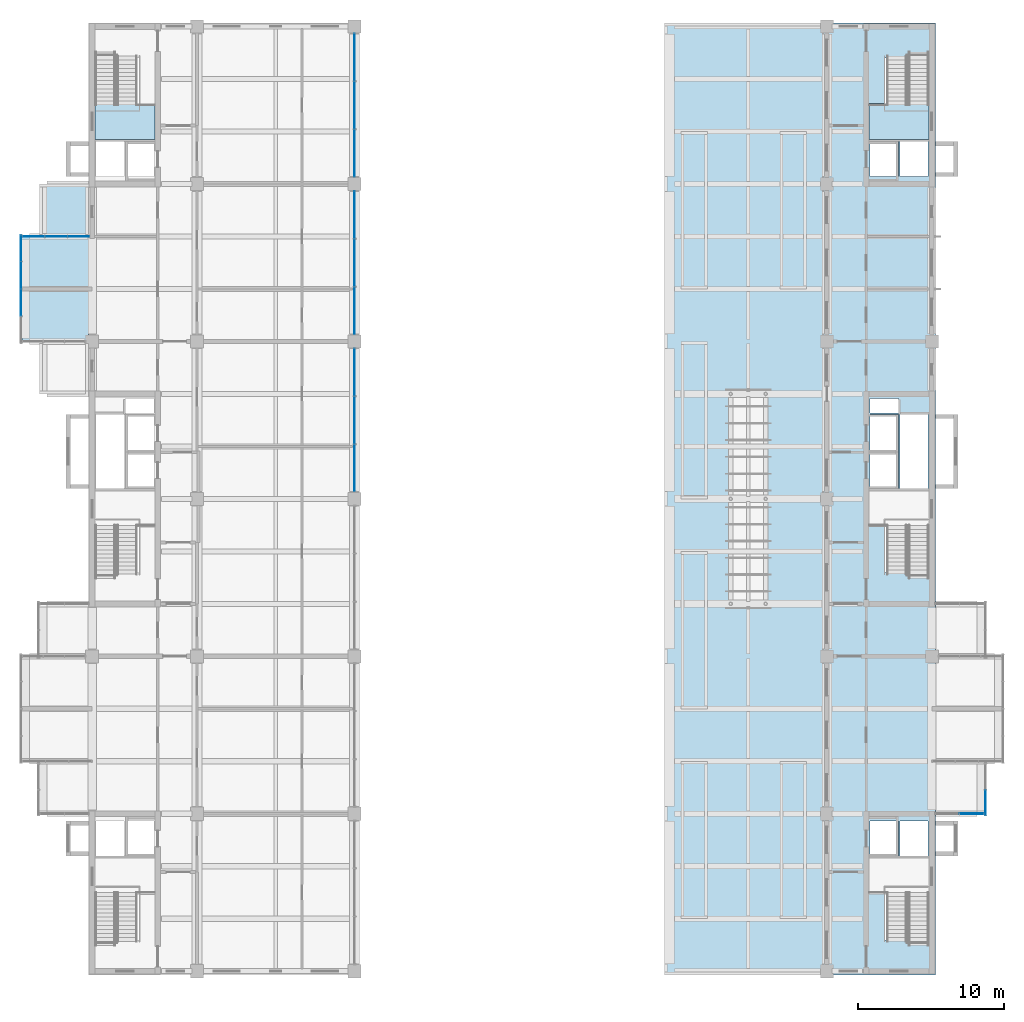
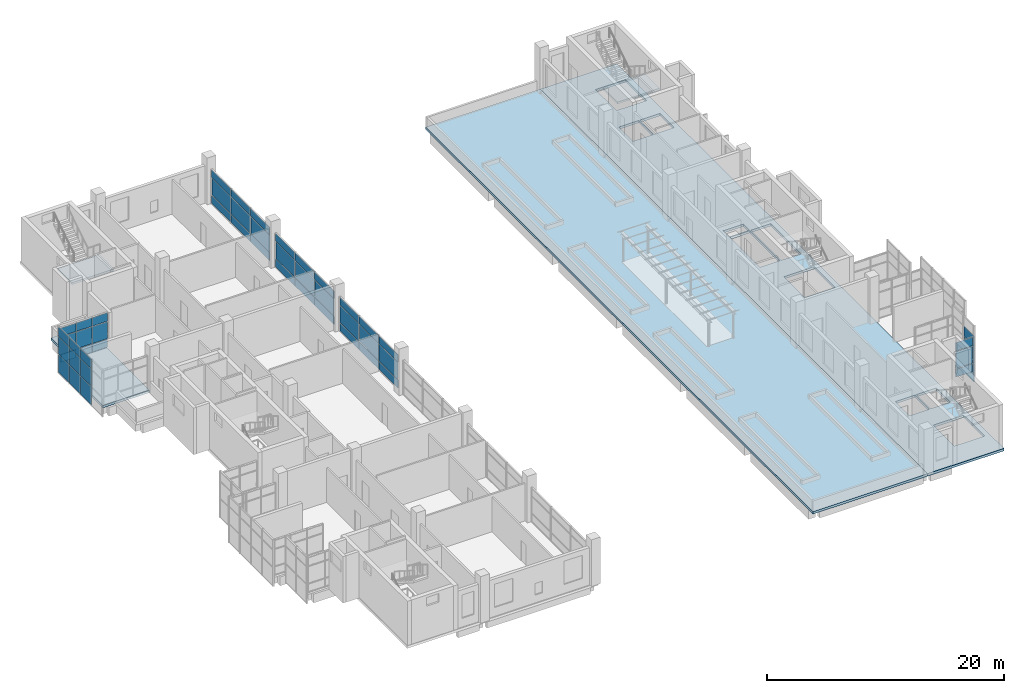
# One storey, part 20 of 32: 51 plates, 6 slabs, 9 elements without a shape of their own.
"""IFC4 building model written with IfcOpenShell, lengths in metres."""

from ifc_helpers import new_model, si_unit, direction, frame, origin, origin_2d, place, context, subcontext, project, spatial, polyline, rectangle, outline, extrude, material, layer, layer_set, type_object, element, aggregate, save


model = new_model("IFC4")

# Units and contexts
model_context = context("Model", 3, precision=1e-05, world=origin(), true_north=direction((0.0, 1.0)))
body_context = subcontext(model_context, "Body", "Model", "MODEL_VIEW")
ifc_project = project(units=[si_unit("LENGTHUNIT", "METRE"), si_unit("AREAUNIT", "SQUARE_METRE"), si_unit("VOLUMEUNIT", "CUBIC_METRE"), si_unit("PLANEANGLEUNIT", "RADIAN"), si_unit("MASSUNIT", "GRAM", prefix="KILO")], contexts=[model_context])

# Site, building, storey
site_placement = place(None, origin())
site = spatial("IfcSite", under=ifc_project, at=site_placement, CompositionType="ELEMENT")
building_placement = place(site_placement, origin())
building = spatial("IfcBuilding", under=site, at=building_placement, Name="Basin Gate Institute", CompositionType="ELEMENT")
storey_placement = place(building_placement, frame((0.0, 0.0, 41.39990234375)))
storey = spatial("IfcBuildingStorey", under=building, at=storey_placement, Name="L08", CompositionType="ELEMENT", Elevation=41.39990234375)

# Slabs
ifc_material_1 = material(Name="Concrete 40 MPa", Category="concrete")
ifc_layer_1 = layer(ifc_material_1, 0.25)
ifc_layer_set_1 = layer_set([ifc_layer_1], Name="Concrete 40 MPa")
slab_type_1 = type_object("IfcSlabType", Name="Slab RS4 R120", PredefinedType="ROOF", material=ifc_layer_set_1)
slab_1_placement = place(storey_placement, frame((0.0, 0.0, -0.25)))
element("IfcSlab", 1, at=slab_1_placement, inside=storey, type_object=slab_type_1, material=ifc_layer_set_1, Name="SLAB/L08/E/LAB", PredefinedType="ROOF", context=body_context, shape_type="SweptSolid", body=[
    extrude(outline(polyline([(111.60009765625, 100.14990234375), (100.449951171875, 100.14990234375), (100.449951171875, 34.85009765625), (111.60009765625, 34.85009765625), (111.60009765625, 100.14990234375)])), origin(), (0.0, 0.0, 1.0), 0.25),
])
slab_2_placement = place(storey_placement, frame((0.0, 0.0, -0.25)))
element("IfcSlab", 2, at=slab_2_placement, inside=storey, type_object=slab_type_1, material=ifc_layer_set_1, Name="SLAB/L08/WK24", PredefinedType="ROOF", context=body_context, shape_type="SweptSolid", body=[
    extrude(outline(polyline([(57.60009765625, 85.5), (60.949951171875, 85.5), (60.949951171875, 89.10009765625), (57.60009765625, 89.10009765625), (57.60009765625, 85.5)])), origin(), (0.0, 0.0, 1.0), 0.25),
])
ifc_material_2 = material(Name="Concrete 40 MPa", Category="concrete")
ifc_layer_2 = layer(ifc_material_2, 0.25)
ifc_layer_set_2 = layer_set([ifc_layer_2], Name="Concrete 40 MPa")
slab_type_2 = type_object("IfcSlabType", Name="Slab SL4 R120", PredefinedType="FLOOR", material=ifc_layer_set_2)
slab_3_placement = place(storey_placement, frame((0.0, 0.0, -0.25)))
element("IfcSlab", 3, at=slab_3_placement, inside=storey, type_object=slab_type_2, material=ifc_layer_set_2, Name="SLAB/L08/E", PredefinedType="FLOOR", context=body_context, shape_type="SweptSolid", body=[
    extrude(outline(polyline([(119.050048828125, 100.14990234375), (111.60009765625, 100.14990234375), (111.60009765625, 34.85009765625), (119.050048828125, 34.85009765625), (119.050048828125, 100.14990234375)]), holes=[polyline([(118.550048828125, 40.7900390625), (115.60009765625, 40.7900390625), (115.60009765625, 37.25), (118.550048828125, 37.25), (118.550048828125, 40.7900390625)]), polyline([(118.550048828125, 65.989990234375), (115.60009765625, 65.989990234375), (115.60009765625, 62.449951171875), (118.550048828125, 62.449951171875), (118.550048828125, 65.989990234375)]), polyline([(118.550048828125, 97.75), (115.60009765625, 97.75), (115.60009765625, 94.2099609375), (118.550048828125, 94.2099609375), (118.550048828125, 97.75)]), polyline([(118.550048828125, 45.39990234375), (116.60009765625, 45.39990234375), (116.60009765625, 43.0), (118.550048828125, 43.0), (118.550048828125, 45.39990234375)]), polyline([(118.550048828125, 73.300048828125), (116.60009765625, 73.300048828125), (116.60009765625, 68.199951171875), (118.550048828125, 68.199951171875), (118.550048828125, 73.300048828125)]), polyline([(116.5, 74.39990234375), (114.550048828125, 74.39990234375), (114.550048828125, 73.39990234375), (116.5, 73.39990234375), (116.5, 74.39990234375)]), polyline([(118.550048828125, 92.0), (116.60009765625, 92.0), (116.60009765625, 89.60009765625), (118.550048828125, 89.60009765625), (118.550048828125, 92.0)]), polyline([(116.5, 45.39990234375), (114.550048828125, 45.39990234375), (114.550048828125, 43.0), (116.5, 43.0), (116.5, 45.39990234375)]), polyline([(116.5, 68.199951171875), (114.550048828125, 68.199951171875), (114.550048828125, 73.300048828125), (116.5, 73.300048828125), (116.5, 68.199951171875)]), polyline([(116.5, 92.0), (114.550048828125, 92.0), (114.550048828125, 89.60009765625), (116.5, 89.60009765625), (116.5, 92.0)])]), origin(), (0.0, 0.0, 1.0), 0.25),
])
slab_4_placement = place(storey_placement, frame((0.0, 0.0, -0.25)))
element("IfcSlab", 4, at=slab_4_placement, inside=storey, type_object=slab_type_2, material=ifc_layer_set_2, Name="SLAB/L08/WK22", PredefinedType="FLOOR", context=body_context, shape_type="SweptSolid", body=[
    extrude(outline(polyline([(60.949951171875, 78.300048828125), (56.39990234375, 78.300048828125), (56.39990234375, 85.5), (60.949951171875, 85.5), (60.949951171875, 78.300048828125)])), origin(), (0.0, 0.0, 1.0), 0.25),
])

# Curtain wall, plates
ifc_material_3 = material(Name="Aluminium-framed glazing", Category="aluminium")
ifc_layer_3 = layer(ifc_material_3, 0.199951171875)
ifc_layer_set_3 = layer_set([ifc_layer_3], Name="Atrium curtain wall CW2")
curtain_wall_type_1 = type_object("IfcCurtainWallType", Name="Atrium curtain wall CW2", PredefinedType="NOTDEFINED", material=ifc_layer_set_3)
curtain_wall_1_placement = place(storey_placement, origin())
curtain_wall_1 = element("IfcCurtainWall", 5, at=curtain_wall_1_placement, inside=storey, type_object=curtain_wall_type_1, material=ifc_layer_set_3, Name="Atrium curtain wall W wing atrium bay 4 L08", PredefinedType="NOTDEFINED")
ifc_material_4 = material(Name="Aluminium insulated spandrel panel", Category="aluminium")
ifc_layer_4 = layer(ifc_material_4, 0.050048828125)
ifc_layer_set_4 = layer_set([ifc_layer_4], Name="Spandrel panel PN2")
plate_type_1 = type_object("IfcPlateType", Name="Spandrel panel PN2", PredefinedType="CURTAIN_PANEL", material=ifc_layer_set_4)
plate_1_placement = place(storey_placement, frame((79.199951171875, 69.614990234375, 0.06005859375), z_axis=(0.0, 0.0, 1.0), x_axis=(0.0, 1.0, 0.0)))
plate_1 = element("IfcPlate", 6, at=plate_1_placement, type_object=plate_type_1, material=ifc_layer_set_4, Name="CW2 spandrel panel 1.1", PredefinedType="CURTAIN_PANEL", context=body_context, shape_type="SweptSolid", body=[
    extrude(rectangle(XDim=3.2099609375, YDim=0.050048828125, at=origin_2d()), origin(), (0.0, 0.0, 1.0), 0.81005859375),
])
plate_2_placement = place(storey_placement, frame((79.199951171875, 69.614990234375, 2.72998046875), z_axis=(0.0, 0.0, 1.0), x_axis=(0.0, 1.0, 0.0)))
plate_2 = element("IfcPlate", 7, at=plate_2_placement, type_object=plate_type_1, material=ifc_layer_set_4, Name="CW2 spandrel panel 1.3", PredefinedType="CURTAIN_PANEL", context=body_context, shape_type="SweptSolid", body=[
    extrude(rectangle(XDim=3.2099609375, YDim=0.050048828125, at=origin_2d()), origin(), (0.0, 0.0, 1.0), 0.760009765625),
])
plate_3_placement = place(storey_placement, frame((79.199951171875, 72.89990234375, 0.06005859375), z_axis=(0.0, 0.0, 1.0), x_axis=(0.0, 1.0, 0.0)))
plate_3 = element("IfcPlate", 8, at=plate_3_placement, type_object=plate_type_1, material=ifc_layer_set_4, Name="CW2 spandrel panel 2.1", PredefinedType="CURTAIN_PANEL", context=body_context, shape_type="SweptSolid", body=[
    extrude(rectangle(XDim=3.239990234375, YDim=0.050048828125, at=origin_2d()), origin(), (0.0, 0.0, 1.0), 0.81005859375),
])
plate_4_placement = place(storey_placement, frame((79.199951171875, 72.89990234375, 2.72998046875), z_axis=(0.0, 0.0, 1.0), x_axis=(0.0, 1.0, 0.0)))
plate_4 = element("IfcPlate", 9, at=plate_4_placement, type_object=plate_type_1, material=ifc_layer_set_4, Name="CW2 spandrel panel 2.3", PredefinedType="CURTAIN_PANEL", context=body_context, shape_type="SweptSolid", body=[
    extrude(rectangle(XDim=3.239990234375, YDim=0.050048828125, at=origin_2d()), origin(), (0.0, 0.0, 1.0), 0.760009765625),
])
plate_5_placement = place(storey_placement, frame((79.199951171875, 76.18505859375, 0.06005859375), z_axis=(0.0, 0.0, 1.0), x_axis=(0.0, 1.0, 0.0)))
plate_5 = element("IfcPlate", 10, at=plate_5_placement, type_object=plate_type_1, material=ifc_layer_set_4, Name="CW2 spandrel panel 3.1", PredefinedType="CURTAIN_PANEL", context=body_context, shape_type="SweptSolid", body=[
    extrude(rectangle(XDim=3.2099609375, YDim=0.050048828125, at=origin_2d()), origin(), (0.0, 0.0, 1.0), 0.81005859375),
])
plate_6_placement = place(storey_placement, frame((79.199951171875, 76.18505859375, 2.72998046875), z_axis=(0.0, 0.0, 1.0), x_axis=(0.0, 1.0, 0.0)))
plate_6 = element("IfcPlate", 11, at=plate_6_placement, type_object=plate_type_1, material=ifc_layer_set_4, Name="CW2 spandrel panel 3.3", PredefinedType="CURTAIN_PANEL", context=body_context, shape_type="SweptSolid", body=[
    extrude(rectangle(XDim=3.2099609375, YDim=0.050048828125, at=origin_2d()), origin(), (0.0, 0.0, 1.0), 0.760009765625),
])

curtain_wall_2_placement = place(storey_placement, origin())
curtain_wall_2 = element("IfcCurtainWall", 12, at=curtain_wall_2_placement, inside=storey, type_object=curtain_wall_type_1, material=ifc_layer_set_3, Name="Atrium curtain wall W wing atrium bay 5 L08", PredefinedType="NOTDEFINED")
plate_7_placement = place(storey_placement, frame((79.199951171875, 80.4150390625, 0.06005859375), z_axis=(0.0, 0.0, 1.0), x_axis=(0.0, 1.0, 0.0)))
plate_7 = element("IfcPlate", 13, at=plate_7_placement, type_object=plate_type_1, material=ifc_layer_set_4, Name="CW2 spandrel panel 1.1", PredefinedType="CURTAIN_PANEL", context=body_context, shape_type="SweptSolid", body=[
    extrude(rectangle(XDim=3.2099609375, YDim=0.050048828125, at=origin_2d()), origin(), (0.0, 0.0, 1.0), 0.81005859375),
])
plate_8_placement = place(storey_placement, frame((79.199951171875, 80.4150390625, 2.72998046875), z_axis=(0.0, 0.0, 1.0), x_axis=(0.0, 1.0, 0.0)))
plate_8 = element("IfcPlate", 14, at=plate_8_placement, type_object=plate_type_1, material=ifc_layer_set_4, Name="CW2 spandrel panel 1.3", PredefinedType="CURTAIN_PANEL", context=body_context, shape_type="SweptSolid", body=[
    extrude(rectangle(XDim=3.2099609375, YDim=0.050048828125, at=origin_2d()), origin(), (0.0, 0.0, 1.0), 0.760009765625),
])
plate_9_placement = place(storey_placement, frame((79.199951171875, 83.699951171875, 0.06005859375), z_axis=(0.0, 0.0, 1.0), x_axis=(0.0, 1.0, 0.0)))
plate_9 = element("IfcPlate", 15, at=plate_9_placement, type_object=plate_type_1, material=ifc_layer_set_4, Name="CW2 spandrel panel 2.1", PredefinedType="CURTAIN_PANEL", context=body_context, shape_type="SweptSolid", body=[
    extrude(rectangle(XDim=3.239990234375, YDim=0.050048828125, at=origin_2d()), origin(), (0.0, 0.0, 1.0), 0.81005859375),
])
plate_10_placement = place(storey_placement, frame((79.199951171875, 83.699951171875, 2.72998046875), z_axis=(0.0, 0.0, 1.0), x_axis=(0.0, 1.0, 0.0)))
plate_10 = element("IfcPlate", 16, at=plate_10_placement, type_object=plate_type_1, material=ifc_layer_set_4, Name="CW2 spandrel panel 2.3", PredefinedType="CURTAIN_PANEL", context=body_context, shape_type="SweptSolid", body=[
    extrude(rectangle(XDim=3.239990234375, YDim=0.050048828125, at=origin_2d()), origin(), (0.0, 0.0, 1.0), 0.760009765625),
])
plate_11_placement = place(storey_placement, frame((79.199951171875, 86.985107421875, 0.06005859375), z_axis=(0.0, 0.0, 1.0), x_axis=(0.0, 1.0, 0.0)))
plate_11 = element("IfcPlate", 17, at=plate_11_placement, type_object=plate_type_1, material=ifc_layer_set_4, Name="CW2 spandrel panel 3.1", PredefinedType="CURTAIN_PANEL", context=body_context, shape_type="SweptSolid", body=[
    extrude(rectangle(XDim=3.2099609375, YDim=0.050048828125, at=origin_2d()), origin(), (0.0, 0.0, 1.0), 0.81005859375),
])
plate_12_placement = place(storey_placement, frame((79.199951171875, 86.985107421875, 2.72998046875), z_axis=(0.0, 0.0, 1.0), x_axis=(0.0, 1.0, 0.0)))
plate_12 = element("IfcPlate", 18, at=plate_12_placement, type_object=plate_type_1, material=ifc_layer_set_4, Name="CW2 spandrel panel 3.3", PredefinedType="CURTAIN_PANEL", context=body_context, shape_type="SweptSolid", body=[
    extrude(rectangle(XDim=3.2099609375, YDim=0.050048828125, at=origin_2d()), origin(), (0.0, 0.0, 1.0), 0.760009765625),
])

curtain_wall_3_placement = place(storey_placement, origin())
curtain_wall_3 = element("IfcCurtainWall", 19, at=curtain_wall_3_placement, inside=storey, type_object=curtain_wall_type_1, material=ifc_layer_set_3, Name="Atrium curtain wall W wing atrium bay 6 L08", PredefinedType="NOTDEFINED")
plate_13_placement = place(storey_placement, frame((79.199951171875, 91.215087890625, 0.06005859375), z_axis=(0.0, 0.0, 1.0), x_axis=(0.0, 1.0, 0.0)))
plate_13 = element("IfcPlate", 20, at=plate_13_placement, type_object=plate_type_1, material=ifc_layer_set_4, Name="CW2 spandrel panel 1.1", PredefinedType="CURTAIN_PANEL", context=body_context, shape_type="SweptSolid", body=[
    extrude(rectangle(XDim=3.2099609375, YDim=0.050048828125, at=origin_2d()), origin(), (0.0, 0.0, 1.0), 0.81005859375),
])
plate_14_placement = place(storey_placement, frame((79.199951171875, 91.215087890625, 2.72998046875), z_axis=(0.0, 0.0, 1.0), x_axis=(0.0, 1.0, 0.0)))
plate_14 = element("IfcPlate", 21, at=plate_14_placement, type_object=plate_type_1, material=ifc_layer_set_4, Name="CW2 spandrel panel 1.3", PredefinedType="CURTAIN_PANEL", context=body_context, shape_type="SweptSolid", body=[
    extrude(rectangle(XDim=3.2099609375, YDim=0.050048828125, at=origin_2d()), origin(), (0.0, 0.0, 1.0), 0.760009765625),
])
plate_15_placement = place(storey_placement, frame((79.199951171875, 94.5, 0.06005859375), z_axis=(0.0, 0.0, 1.0), x_axis=(0.0, 1.0, 0.0)))
plate_15 = element("IfcPlate", 22, at=plate_15_placement, type_object=plate_type_1, material=ifc_layer_set_4, Name="CW2 spandrel panel 2.1", PredefinedType="CURTAIN_PANEL", context=body_context, shape_type="SweptSolid", body=[
    extrude(rectangle(XDim=3.239990234375, YDim=0.050048828125, at=origin_2d()), origin(), (0.0, 0.0, 1.0), 0.81005859375),
])
plate_16_placement = place(storey_placement, frame((79.199951171875, 94.5, 2.72998046875), z_axis=(0.0, 0.0, 1.0), x_axis=(0.0, 1.0, 0.0)))
plate_16 = element("IfcPlate", 23, at=plate_16_placement, type_object=plate_type_1, material=ifc_layer_set_4, Name="CW2 spandrel panel 2.3", PredefinedType="CURTAIN_PANEL", context=body_context, shape_type="SweptSolid", body=[
    extrude(rectangle(XDim=3.239990234375, YDim=0.050048828125, at=origin_2d()), origin(), (0.0, 0.0, 1.0), 0.760009765625),
])
plate_17_placement = place(storey_placement, frame((79.199951171875, 97.784912109375, 0.06005859375), z_axis=(0.0, 0.0, 1.0), x_axis=(0.0, 1.0, 0.0)))
plate_17 = element("IfcPlate", 24, at=plate_17_placement, type_object=plate_type_1, material=ifc_layer_set_4, Name="CW2 spandrel panel 3.1", PredefinedType="CURTAIN_PANEL", context=body_context, shape_type="SweptSolid", body=[
    extrude(rectangle(XDim=3.2099609375, YDim=0.050048828125, at=origin_2d()), origin(), (0.0, 0.0, 1.0), 0.81005859375),
])
plate_18_placement = place(storey_placement, frame((79.199951171875, 97.784912109375, 2.72998046875), z_axis=(0.0, 0.0, 1.0), x_axis=(0.0, 1.0, 0.0)))
plate_18 = element("IfcPlate", 25, at=plate_18_placement, type_object=plate_type_1, material=ifc_layer_set_4, Name="CW2 spandrel panel 3.3", PredefinedType="CURTAIN_PANEL", context=body_context, shape_type="SweptSolid", body=[
    extrude(rectangle(XDim=3.2099609375, YDim=0.050048828125, at=origin_2d()), origin(), (0.0, 0.0, 1.0), 0.760009765625),
])

ifc_material_5 = material(Name="Aluminium-framed glazing", Category="aluminium")
ifc_layer_5 = layer(ifc_material_5, 0.14990234375)
ifc_layer_set_5 = layer_set([ifc_layer_5], Name="Capsule front curtain wall CW1")
curtain_wall_type_2 = type_object("IfcCurtainWallType", Name="Capsule front curtain wall CW1", PredefinedType="NOTDEFINED", material=ifc_layer_set_5)
curtain_wall_4_placement = place(storey_placement, origin())
curtain_wall_4 = element("IfcCurtainWall", 26, at=curtain_wall_4_placement, inside=storey, type_object=curtain_wall_type_2, material=ifc_layer_set_5, Name="Capsule front curtain wall W wing capsule end L08 line 15", PredefinedType="NOTDEFINED")
plate_19_placement = place(storey_placement, frame((57.1875, 85.5, 0.06005859375), z_axis=(0.0, 0.0, 1.0), x_axis=(1.0, 0.0, 0.0)))
plate_19 = element("IfcPlate", 27, at=plate_19_placement, type_object=plate_type_1, material=ifc_layer_set_4, Name="CW1 spandrel panel 1.1", PredefinedType="CURTAIN_PANEL", context=body_context, shape_type="SweptSolid", body=[
    extrude(rectangle(XDim=1.47509765625, YDim=0.050048828125, at=origin_2d()), origin(), (0.0, 0.0, 1.0), 0.81005859375),
])
plate_20_placement = place(storey_placement, frame((58.72509765625, 85.5, 0.06005859375), z_axis=(0.0, 0.0, 1.0), x_axis=(1.0, 0.0, 0.0)))
plate_20 = element("IfcPlate", 28, at=plate_20_placement, type_object=plate_type_1, material=ifc_layer_set_4, Name="CW1 spandrel panel 2.1", PredefinedType="CURTAIN_PANEL", context=body_context, shape_type="SweptSolid", body=[
    extrude(rectangle(XDim=1.5, YDim=0.050048828125, at=origin_2d()), origin(), (0.0, 0.0, 1.0), 0.81005859375),
])
plate_21_placement = place(storey_placement, frame((60.262451171875, 85.5, 0.06005859375), z_axis=(0.0, 0.0, 1.0), x_axis=(1.0, 0.0, 0.0)))
plate_21 = element("IfcPlate", 29, at=plate_21_placement, type_object=plate_type_1, material=ifc_layer_set_4, Name="CW1 spandrel panel 3.1", PredefinedType="CURTAIN_PANEL", context=body_context, shape_type="SweptSolid", body=[
    extrude(rectangle(XDim=1.47509765625, YDim=0.050048828125, at=origin_2d()), origin(), (0.0, 0.0, 1.0), 0.81005859375),
])

curtain_wall_5_placement = place(storey_placement, origin())
curtain_wall_5 = element("IfcCurtainWall", 30, at=curtain_wall_5_placement, inside=storey, type_object=curtain_wall_type_2, material=ifc_layer_set_5, Name="Capsule front curtain wall W wing capsule 2 L08 front 2", PredefinedType="NOTDEFINED")
plate_22_placement = place(storey_placement, frame((56.324951171875, 80.96240234375, -0.98974609375), z_axis=(0.0, 0.0, 1.0), x_axis=(0.0, 1.0, 0.0)))
plate_22 = element("IfcPlate", 31, at=plate_22_placement, type_object=plate_type_1, material=ifc_layer_set_4, Name="CW1 spandrel panel 2.1", PredefinedType="CURTAIN_PANEL", context=body_context, shape_type="SweptSolid", body=[
    extrude(rectangle(XDim=1.824951171875, YDim=0.050048828125, at=origin_2d()), origin(), (0.0, 0.0, 1.0), 1.860107421875),
])
plate_23_placement = place(storey_placement, frame((56.324951171875, 82.83740234375, -0.98974609375), z_axis=(0.0, 0.0, 1.0), x_axis=(0.0, 1.0, 0.0)))
plate_23 = element("IfcPlate", 32, at=plate_23_placement, type_object=plate_type_1, material=ifc_layer_set_4, Name="CW1 spandrel panel 3.1", PredefinedType="CURTAIN_PANEL", context=body_context, shape_type="SweptSolid", body=[
    extrude(rectangle(XDim=1.824951171875, YDim=0.050048828125, at=origin_2d()), origin(), (0.0, 0.0, 1.0), 1.860107421875),
])
plate_24_placement = place(storey_placement, frame((56.324951171875, 84.699951171875, -0.98974609375), z_axis=(0.0, 0.0, 1.0), x_axis=(0.0, 1.0, 0.0)))
plate_24 = element("IfcPlate", 33, at=plate_24_placement, type_object=plate_type_1, material=ifc_layer_set_4, Name="CW1 spandrel panel 4.1", PredefinedType="CURTAIN_PANEL", context=body_context, shape_type="SweptSolid", body=[
    extrude(rectangle(XDim=1.800048828125, YDim=0.050048828125, at=origin_2d()), origin(), (0.0, 0.0, 1.0), 1.860107421875),
])

# Curtain wall, plate
curtain_wall_6_placement = place(storey_placement, origin())
curtain_wall_6 = element("IfcCurtainWall", 34, at=curtain_wall_6_placement, inside=storey, type_object=curtain_wall_type_2, material=ifc_layer_set_5, Name="Capsule front curtain wall E wing capsule end L08 line 4", PredefinedType="NOTDEFINED")
plate_25_placement = place(storey_placement, frame((121.53759765625, 45.89990234375, 0.06005859375), z_axis=(0.0, 0.0, 1.0), x_axis=(-1.0, 0.0, 0.0)))
plate_25 = element("IfcPlate", 35, at=plate_25_placement, type_object=plate_type_1, material=ifc_layer_set_4, Name="CW1 spandrel panel 1.1", PredefinedType="CURTAIN_PANEL", context=body_context, shape_type="SweptSolid", body=[
    extrude(rectangle(XDim=1.625, YDim=0.050048828125, at=origin_2d()), origin(), (0.0, 0.0, 1.0), 0.81005859375),
])

curtain_wall_7_placement = place(storey_placement, origin())
curtain_wall_7 = element("IfcCurtainWall", 36, at=curtain_wall_7_placement, inside=storey, type_object=curtain_wall_type_2, material=ifc_layer_set_5, Name="Capsule front curtain wall E wing capsule 1 L08 front 1", PredefinedType="NOTDEFINED")
plate_26_placement = place(storey_placement, frame((122.47509765625, 46.66259765625, -0.98974609375), z_axis=(0.0, 0.0, 1.0), x_axis=(0.0, 1.0, 0.0)))
plate_26 = element("IfcPlate", 37, at=plate_26_placement, type_object=plate_type_1, material=ifc_layer_set_4, Name="CW1 spandrel panel 1.1", PredefinedType="CURTAIN_PANEL", context=body_context, shape_type="SweptSolid", body=[
    extrude(rectangle(XDim=1.72509765625, YDim=0.050048828125, at=origin_2d()), origin(), (0.0, 0.0, 1.0), 1.860107421875),
])

# Stair, slab
ifc_material_6 = material(Name="Concrete 40 MPa", Category="concrete")
stair_type = type_object("IfcStairType", Name="Stair ST", PredefinedType="HALF_TURN_STAIR", material=ifc_material_6)
stair_1_placement = place(storey_placement, origin())
stair_1 = element("IfcStair", 38, at=stair_1_placement, inside=storey, type_object=stair_type, material=ifc_material_6, Name="Special safe stair ST-WN L08", PredefinedType="HALF_TURN_STAIR")
ifc_material_7 = material(Name="Concrete 40 MPa", Category="concrete")
ifc_layer_6 = layer(ifc_material_7, 0.199951171875)
ifc_layer_set_6 = layer_set([ifc_layer_6], Name="Concrete 40 MPa")
slab_type_3 = type_object("IfcSlabType", Name="Stair landing LN REI 120", PredefinedType="LANDING", material=ifc_layer_set_6)
slab_5_placement = place(storey_placement, frame((0.0, 0.0, 2.2890625)))
slab_5 = element("IfcSlab", 39, at=slab_5_placement, type_object=slab_type_3, material=ifc_layer_set_6, Name="Stair landing ST-WN-L1 L08", PredefinedType="LANDING", context=body_context, shape_type="SweptSolid", body=[
    extrude(outline(polyline([(61.39990234375, 92.14990234375), (65.5, 92.14990234375), (65.5, 94.6298828125), (61.39990234375, 94.6298828125), (61.39990234375, 92.14990234375)])), origin(), (0.0, 0.0, 1.0), 0.199951171875),
])
aggregate(stair_1, [slab_5])

stair_2_placement = place(storey_placement, origin())
stair_2 = element("IfcStair", 40, at=stair_2_placement, inside=storey, type_object=stair_type, material=ifc_material_6, Name="Special safe stair ST-EN L08", PredefinedType="HALF_TURN_STAIR")
slab_6_placement = place(storey_placement, frame((0.0, 0.0, 2.2890625)))
slab_6 = element("IfcSlab", 41, at=slab_6_placement, type_object=slab_type_3, material=ifc_layer_set_6, Name="Stair landing ST-EN-L1 L08", PredefinedType="LANDING", context=body_context, shape_type="SweptSolid", body=[
    extrude(outline(polyline([(118.60009765625, 94.6298828125), (114.5, 94.6298828125), (114.5, 92.14990234375), (118.60009765625, 92.14990234375), (118.60009765625, 94.6298828125)])), origin(), (0.0, 0.0, 1.0), 0.199951171875),
])
aggregate(stair_2, [slab_6])

# Plate
ifc_material_8 = material(Name="Double glazed unit")
ifc_layer_7 = layer(ifc_material_8, 0.028076171875)
ifc_layer_set_7 = layer_set([ifc_layer_7], Name="Vision panel PN1")
plate_type_2 = type_object("IfcPlateType", Name="Vision panel PN1", PredefinedType="CURTAIN_PANEL", material=ifc_layer_set_7)
plate_27_placement = place(storey_placement, frame((79.199951171875, 69.614990234375, 0.93017578125), z_axis=(0.0, 0.0, 1.0), x_axis=(0.0, 1.0, 0.0)))
plate_27 = element("IfcPlate", 42, at=plate_27_placement, type_object=plate_type_2, material=ifc_layer_set_7, Name="CW2 vision panel 1.2", PredefinedType="CURTAIN_PANEL", context=body_context, shape_type="SweptSolid", body=[
    extrude(rectangle(XDim=3.2099609375, YDim=0.028076171875, at=origin_2d()), origin(), (0.0, 0.0, 1.0), 1.739990234375),
])

plate_28_placement = place(storey_placement, frame((79.199951171875, 72.89990234375, 0.93017578125), z_axis=(0.0, 0.0, 1.0), x_axis=(0.0, 1.0, 0.0)))
plate_28 = element("IfcPlate", 43, at=plate_28_placement, type_object=plate_type_2, material=ifc_layer_set_7, Name="CW2 vision panel 2.2", PredefinedType="CURTAIN_PANEL", context=body_context, shape_type="SweptSolid", body=[
    extrude(rectangle(XDim=3.239990234375, YDim=0.028076171875, at=origin_2d()), origin(), (0.0, 0.0, 1.0), 1.739990234375),
])

plate_29_placement = place(storey_placement, frame((79.199951171875, 76.18505859375, 0.93017578125), z_axis=(0.0, 0.0, 1.0), x_axis=(0.0, 1.0, 0.0)))
plate_29 = element("IfcPlate", 44, at=plate_29_placement, type_object=plate_type_2, material=ifc_layer_set_7, Name="CW2 vision panel 3.2", PredefinedType="CURTAIN_PANEL", context=body_context, shape_type="SweptSolid", body=[
    extrude(rectangle(XDim=3.2099609375, YDim=0.028076171875, at=origin_2d()), origin(), (0.0, 0.0, 1.0), 1.739990234375),
])

aggregate(curtain_wall_1, [plate_1, plate_27, plate_2, plate_3, plate_28, plate_4, plate_5, plate_29, plate_6])

plate_30_placement = place(storey_placement, frame((79.199951171875, 80.4150390625, 0.93017578125), z_axis=(0.0, 0.0, 1.0), x_axis=(0.0, 1.0, 0.0)))
plate_30 = element("IfcPlate", 45, at=plate_30_placement, type_object=plate_type_2, material=ifc_layer_set_7, Name="CW2 vision panel 1.2", PredefinedType="CURTAIN_PANEL", context=body_context, shape_type="SweptSolid", body=[
    extrude(rectangle(XDim=3.2099609375, YDim=0.028076171875, at=origin_2d()), origin(), (0.0, 0.0, 1.0), 1.739990234375),
])

plate_31_placement = place(storey_placement, frame((79.199951171875, 83.699951171875, 0.93017578125), z_axis=(0.0, 0.0, 1.0), x_axis=(0.0, 1.0, 0.0)))
plate_31 = element("IfcPlate", 46, at=plate_31_placement, type_object=plate_type_2, material=ifc_layer_set_7, Name="CW2 vision panel 2.2", PredefinedType="CURTAIN_PANEL", context=body_context, shape_type="SweptSolid", body=[
    extrude(rectangle(XDim=3.239990234375, YDim=0.028076171875, at=origin_2d()), origin(), (0.0, 0.0, 1.0), 1.739990234375),
])

plate_32_placement = place(storey_placement, frame((79.199951171875, 86.985107421875, 0.93017578125), z_axis=(0.0, 0.0, 1.0), x_axis=(0.0, 1.0, 0.0)))
plate_32 = element("IfcPlate", 47, at=plate_32_placement, type_object=plate_type_2, material=ifc_layer_set_7, Name="CW2 vision panel 3.2", PredefinedType="CURTAIN_PANEL", context=body_context, shape_type="SweptSolid", body=[
    extrude(rectangle(XDim=3.2099609375, YDim=0.028076171875, at=origin_2d()), origin(), (0.0, 0.0, 1.0), 1.739990234375),
])

aggregate(curtain_wall_2, [plate_7, plate_30, plate_8, plate_9, plate_31, plate_10, plate_11, plate_32, plate_12])

plate_33_placement = place(storey_placement, frame((79.199951171875, 91.215087890625, 0.93017578125), z_axis=(0.0, 0.0, 1.0), x_axis=(0.0, 1.0, 0.0)))
plate_33 = element("IfcPlate", 48, at=plate_33_placement, type_object=plate_type_2, material=ifc_layer_set_7, Name="CW2 vision panel 1.2", PredefinedType="CURTAIN_PANEL", context=body_context, shape_type="SweptSolid", body=[
    extrude(rectangle(XDim=3.2099609375, YDim=0.028076171875, at=origin_2d()), origin(), (0.0, 0.0, 1.0), 1.739990234375),
])

plate_34_placement = place(storey_placement, frame((79.199951171875, 94.5, 0.93017578125), z_axis=(0.0, 0.0, 1.0), x_axis=(0.0, 1.0, 0.0)))
plate_34 = element("IfcPlate", 49, at=plate_34_placement, type_object=plate_type_2, material=ifc_layer_set_7, Name="CW2 vision panel 2.2", PredefinedType="CURTAIN_PANEL", context=body_context, shape_type="SweptSolid", body=[
    extrude(rectangle(XDim=3.239990234375, YDim=0.028076171875, at=origin_2d()), origin(), (0.0, 0.0, 1.0), 1.739990234375),
])

plate_35_placement = place(storey_placement, frame((79.199951171875, 97.784912109375, 0.93017578125), z_axis=(0.0, 0.0, 1.0), x_axis=(0.0, 1.0, 0.0)))
plate_35 = element("IfcPlate", 50, at=plate_35_placement, type_object=plate_type_2, material=ifc_layer_set_7, Name="CW2 vision panel 3.2", PredefinedType="CURTAIN_PANEL", context=body_context, shape_type="SweptSolid", body=[
    extrude(rectangle(XDim=3.2099609375, YDim=0.028076171875, at=origin_2d()), origin(), (0.0, 0.0, 1.0), 1.739990234375),
])

aggregate(curtain_wall_3, [plate_13, plate_33, plate_14, plate_15, plate_34, plate_16, plate_17, plate_35, plate_18])

plate_36_placement = place(storey_placement, frame((57.1875, 85.5, 0.93017578125), z_axis=(0.0, 0.0, 1.0), x_axis=(1.0, 0.0, 0.0)))
plate_36 = element("IfcPlate", 51, at=plate_36_placement, type_object=plate_type_2, material=ifc_layer_set_7, Name="CW1 vision panel 1.2", PredefinedType="CURTAIN_PANEL", context=body_context, shape_type="SweptSolid", body=[
    extrude(rectangle(XDim=1.47509765625, YDim=0.028076171875, at=origin_2d()), origin(), (0.0, 0.0, 1.0), 1.739990234375),
])

plate_37_placement = place(storey_placement, frame((57.1875, 85.5, 2.72998046875), z_axis=(0.0, 0.0, 1.0), x_axis=(1.0, 0.0, 0.0)))
plate_37 = element("IfcPlate", 52, at=plate_37_placement, type_object=plate_type_2, material=ifc_layer_set_7, Name="CW1 vision panel 1.3", PredefinedType="CURTAIN_PANEL", context=body_context, shape_type="SweptSolid", body=[
    extrude(rectangle(XDim=1.47509765625, YDim=0.028076171875, at=origin_2d()), origin(), (0.0, 0.0, 1.0), 0.860107421875),
])

plate_38_placement = place(storey_placement, frame((58.72509765625, 85.5, 0.93017578125), z_axis=(0.0, 0.0, 1.0), x_axis=(1.0, 0.0, 0.0)))
plate_38 = element("IfcPlate", 53, at=plate_38_placement, type_object=plate_type_2, material=ifc_layer_set_7, Name="CW1 vision panel 2.2", PredefinedType="CURTAIN_PANEL", context=body_context, shape_type="SweptSolid", body=[
    extrude(rectangle(XDim=1.5, YDim=0.028076171875, at=origin_2d()), origin(), (0.0, 0.0, 1.0), 1.739990234375),
])

plate_39_placement = place(storey_placement, frame((58.72509765625, 85.5, 2.72998046875), z_axis=(0.0, 0.0, 1.0), x_axis=(1.0, 0.0, 0.0)))
plate_39 = element("IfcPlate", 54, at=plate_39_placement, type_object=plate_type_2, material=ifc_layer_set_7, Name="CW1 vision panel 2.3", PredefinedType="CURTAIN_PANEL", context=body_context, shape_type="SweptSolid", body=[
    extrude(rectangle(XDim=1.5, YDim=0.028076171875, at=origin_2d()), origin(), (0.0, 0.0, 1.0), 0.860107421875),
])

plate_40_placement = place(storey_placement, frame((60.262451171875, 85.5, 0.93017578125), z_axis=(0.0, 0.0, 1.0), x_axis=(1.0, 0.0, 0.0)))
plate_40 = element("IfcPlate", 55, at=plate_40_placement, type_object=plate_type_2, material=ifc_layer_set_7, Name="CW1 vision panel 3.2", PredefinedType="CURTAIN_PANEL", context=body_context, shape_type="SweptSolid", body=[
    extrude(rectangle(XDim=1.47509765625, YDim=0.028076171875, at=origin_2d()), origin(), (0.0, 0.0, 1.0), 1.739990234375),
])

plate_41_placement = place(storey_placement, frame((60.262451171875, 85.5, 2.72998046875), z_axis=(0.0, 0.0, 1.0), x_axis=(1.0, 0.0, 0.0)))
plate_41 = element("IfcPlate", 56, at=plate_41_placement, type_object=plate_type_2, material=ifc_layer_set_7, Name="CW1 vision panel 3.3", PredefinedType="CURTAIN_PANEL", context=body_context, shape_type="SweptSolid", body=[
    extrude(rectangle(XDim=1.47509765625, YDim=0.028076171875, at=origin_2d()), origin(), (0.0, 0.0, 1.0), 0.860107421875),
])

aggregate(curtain_wall_4, [plate_19, plate_36, plate_37, plate_20, plate_38, plate_39, plate_21, plate_40, plate_41])

plate_42_placement = place(storey_placement, frame((56.324951171875, 80.96240234375, 0.93017578125), z_axis=(0.0, 0.0, 1.0), x_axis=(0.0, 1.0, 0.0)))
plate_42 = element("IfcPlate", 57, at=plate_42_placement, type_object=plate_type_2, material=ifc_layer_set_7, Name="CW1 vision panel 2.2", PredefinedType="CURTAIN_PANEL", context=body_context, shape_type="SweptSolid", body=[
    extrude(rectangle(XDim=1.824951171875, YDim=0.028076171875, at=origin_2d()), origin(), (0.0, 0.0, 1.0), 1.739990234375),
])

plate_43_placement = place(storey_placement, frame((56.324951171875, 80.96240234375, 2.730224609375), z_axis=(0.0, 0.0, 1.0), x_axis=(0.0, 1.0, 0.0)))
plate_43 = element("IfcPlate", 58, at=plate_43_placement, type_object=plate_type_2, material=ifc_layer_set_7, Name="CW1 vision panel 2.3", PredefinedType="CURTAIN_PANEL", context=body_context, shape_type="SweptSolid", body=[
    extrude(rectangle(XDim=1.824951171875, YDim=0.028076171875, at=origin_2d()), origin(), (0.0, 0.0, 1.0), 0.9599609375),
])

plate_44_placement = place(storey_placement, frame((56.324951171875, 82.83740234375, 0.93017578125), z_axis=(0.0, 0.0, 1.0), x_axis=(0.0, 1.0, 0.0)))
plate_44 = element("IfcPlate", 59, at=plate_44_placement, type_object=plate_type_2, material=ifc_layer_set_7, Name="CW1 vision panel 3.2", PredefinedType="CURTAIN_PANEL", context=body_context, shape_type="SweptSolid", body=[
    extrude(rectangle(XDim=1.824951171875, YDim=0.028076171875, at=origin_2d()), origin(), (0.0, 0.0, 1.0), 1.739990234375),
])

plate_45_placement = place(storey_placement, frame((56.324951171875, 82.83740234375, 2.730224609375), z_axis=(0.0, 0.0, 1.0), x_axis=(0.0, 1.0, 0.0)))
plate_45 = element("IfcPlate", 60, at=plate_45_placement, type_object=plate_type_2, material=ifc_layer_set_7, Name="CW1 vision panel 3.3", PredefinedType="CURTAIN_PANEL", context=body_context, shape_type="SweptSolid", body=[
    extrude(rectangle(XDim=1.824951171875, YDim=0.028076171875, at=origin_2d()), origin(), (0.0, 0.0, 1.0), 0.9599609375),
])

plate_46_placement = place(storey_placement, frame((56.324951171875, 84.699951171875, 0.93017578125), z_axis=(0.0, 0.0, 1.0), x_axis=(0.0, 1.0, 0.0)))
plate_46 = element("IfcPlate", 61, at=plate_46_placement, type_object=plate_type_2, material=ifc_layer_set_7, Name="CW1 vision panel 4.2", PredefinedType="CURTAIN_PANEL", context=body_context, shape_type="SweptSolid", body=[
    extrude(rectangle(XDim=1.800048828125, YDim=0.028076171875, at=origin_2d()), origin(), (0.0, 0.0, 1.0), 1.739990234375),
])

plate_47_placement = place(storey_placement, frame((56.324951171875, 84.699951171875, 2.730224609375), z_axis=(0.0, 0.0, 1.0), x_axis=(0.0, 1.0, 0.0)))
plate_47 = element("IfcPlate", 62, at=plate_47_placement, type_object=plate_type_2, material=ifc_layer_set_7, Name="CW1 vision panel 4.3", PredefinedType="CURTAIN_PANEL", context=body_context, shape_type="SweptSolid", body=[
    extrude(rectangle(XDim=1.800048828125, YDim=0.028076171875, at=origin_2d()), origin(), (0.0, 0.0, 1.0), 0.9599609375),
])

aggregate(curtain_wall_5, [plate_22, plate_42, plate_43, plate_23, plate_44, plate_45, plate_24, plate_46, plate_47])

plate_48_placement = place(storey_placement, frame((121.53759765625, 45.89990234375, 0.93017578125), z_axis=(0.0, 0.0, 1.0), x_axis=(-1.0, 0.0, 0.0)))
plate_48 = element("IfcPlate", 63, at=plate_48_placement, type_object=plate_type_2, material=ifc_layer_set_7, Name="CW1 vision panel 1.2", PredefinedType="CURTAIN_PANEL", context=body_context, shape_type="SweptSolid", body=[
    extrude(rectangle(XDim=1.625, YDim=0.028076171875, at=origin_2d()), origin(), (0.0, 0.0, 1.0), 1.739990234375),
])

plate_49_placement = place(storey_placement, frame((121.53759765625, 45.89990234375, 2.72998046875), z_axis=(0.0, 0.0, 1.0), x_axis=(-1.0, 0.0, 0.0)))
plate_49 = element("IfcPlate", 64, at=plate_49_placement, type_object=plate_type_2, material=ifc_layer_set_7, Name="CW1 vision panel 1.3", PredefinedType="CURTAIN_PANEL", context=body_context, shape_type="SweptSolid", body=[
    extrude(rectangle(XDim=1.625, YDim=0.028076171875, at=origin_2d()), origin(), (0.0, 0.0, 1.0), 0.860107421875),
])

aggregate(curtain_wall_6, [plate_25, plate_48, plate_49])

plate_50_placement = place(storey_placement, frame((122.47509765625, 46.66259765625, 0.93017578125), z_axis=(0.0, 0.0, 1.0), x_axis=(0.0, 1.0, 0.0)))
plate_50 = element("IfcPlate", 65, at=plate_50_placement, type_object=plate_type_2, material=ifc_layer_set_7, Name="CW1 vision panel 1.2", PredefinedType="CURTAIN_PANEL", context=body_context, shape_type="SweptSolid", body=[
    extrude(rectangle(XDim=1.72509765625, YDim=0.028076171875, at=origin_2d()), origin(), (0.0, 0.0, 1.0), 1.739990234375),
])

plate_51_placement = place(storey_placement, frame((122.47509765625, 46.66259765625, 2.72998046875), z_axis=(0.0, 0.0, 1.0), x_axis=(0.0, 1.0, 0.0)))
plate_51 = element("IfcPlate", 66, at=plate_51_placement, type_object=plate_type_2, material=ifc_layer_set_7, Name="CW1 vision panel 1.3", PredefinedType="CURTAIN_PANEL", context=body_context, shape_type="SweptSolid", body=[
    extrude(rectangle(XDim=1.72509765625, YDim=0.028076171875, at=origin_2d()), origin(), (0.0, 0.0, 1.0), 0.989990234375),
])

aggregate(curtain_wall_7, [plate_26, plate_50, plate_51])

save(model, "model.ifc")
